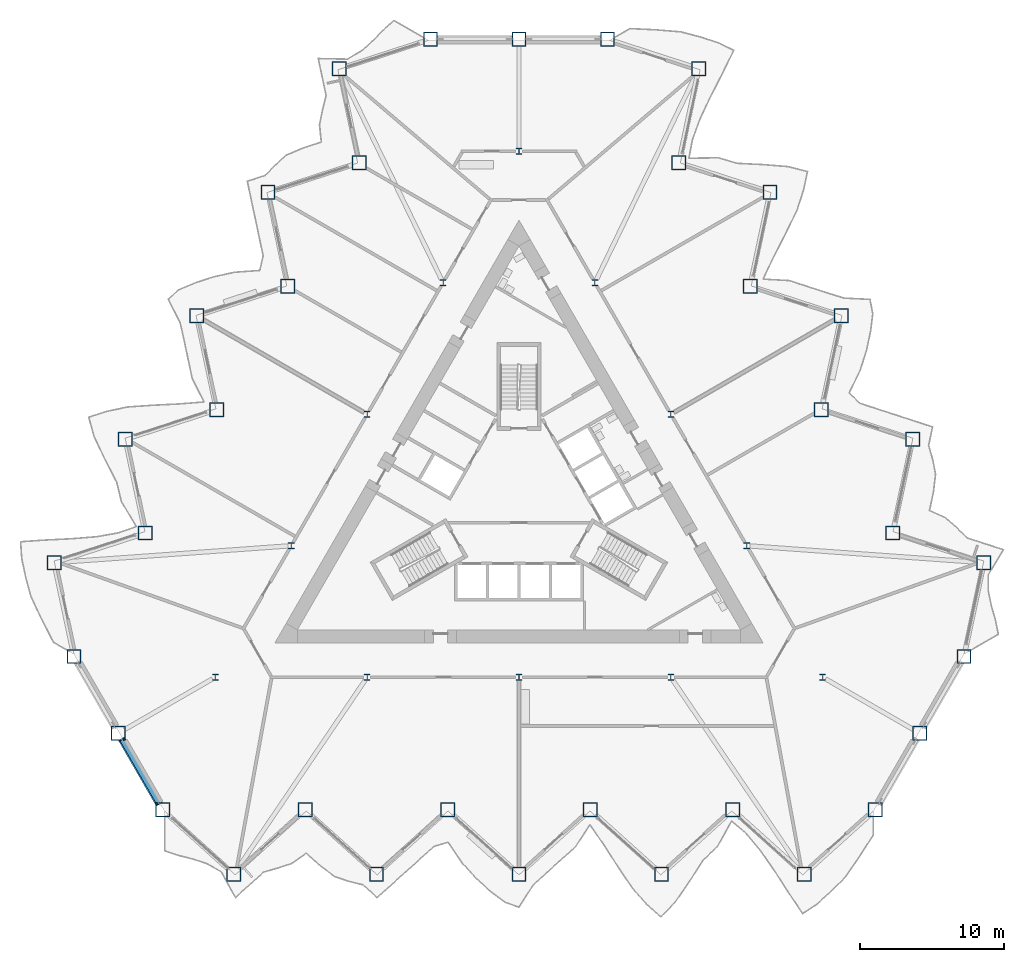
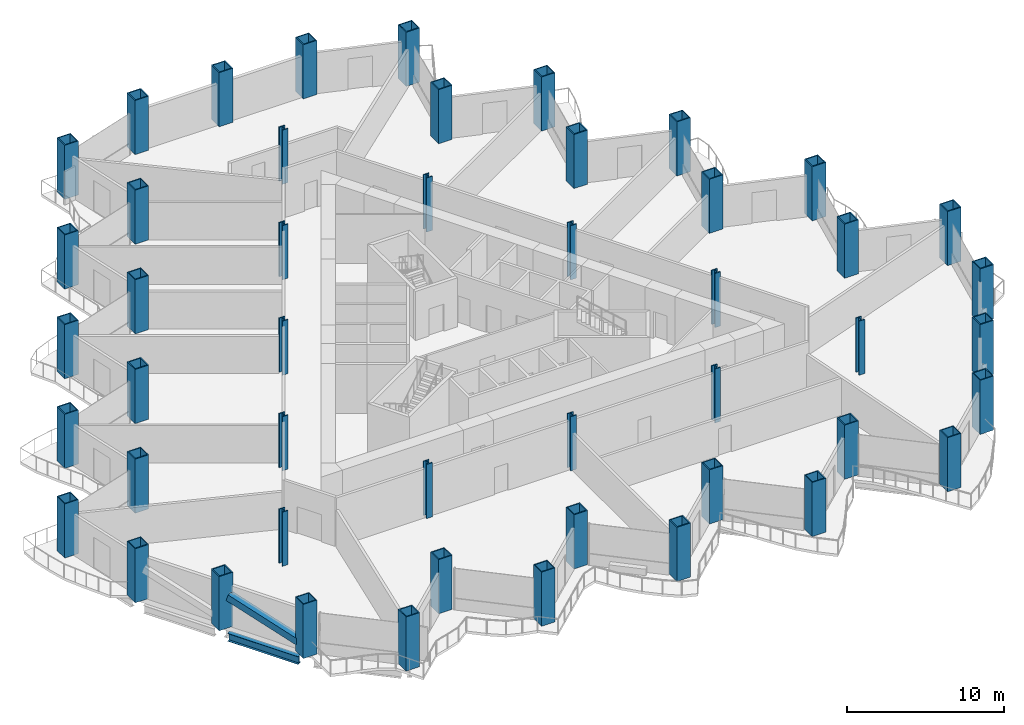
# One storey, part 1 of 21: 48 columns, 1 beam, 1 member.
"""IFC4 building model written with IfcOpenShell, lengths in metres."""

from ifc_helpers import new_model, si_unit, direction, frame, origin, origin_2d, place, context, subcontext, project, spatial, hollow_rectangle, i_section, extrude, material, material_profile, profile_set, type_object, element, save


model = new_model("IFC4")

# Units and contexts
model_context = context("Model", 3, precision=1e-05, world=origin(), true_north=direction((0.0, 1.0)))
body_context = subcontext(model_context, "Body", "Model", "MODEL_VIEW")
ifc_project = project(units=[si_unit("LENGTHUNIT", "METRE"), si_unit("AREAUNIT", "SQUARE_METRE"), si_unit("VOLUMEUNIT", "CUBIC_METRE"), si_unit("PLANEANGLEUNIT", "RADIAN"), si_unit("MASSUNIT", "GRAM", prefix="KILO")], contexts=[model_context])

# Site, building, storey
site_placement = place(None, origin())
site = spatial("IfcSite", under=ifc_project, at=site_placement, CompositionType="ELEMENT")
building_placement = place(site_placement, origin())
building = spatial("IfcBuilding", under=site, at=building_placement, Name="Cormorant Prow Tower", CompositionType="ELEMENT")
storey_placement = place(building_placement, frame((0.0, 0.0, 76.199951171875)))
storey = spatial("IfcBuildingStorey", under=building, at=storey_placement, Name="L16", CompositionType="ELEMENT", Elevation=76.199951171875)

# Columns
ifc_material_1 = material(Name="Structural steel ASTM A572 Gr 50", Category="steel")
ifc_material_profile_1 = material_profile(ifc_material_1, hollow_rectangle(XDim=1.0, YDim=1.0, WallThickness=0.070068359375, at=origin_2d()), Name="Box 1000x1000x70")
ifc_profile_set_1 = profile_set([ifc_material_profile_1], Name="Structural steel ASTM A572 Gr 50")
column_type_1 = type_object("IfcColumnType", Name="Perimeter box column 1000x1000x70", PredefinedType="COLUMN", material=ifc_profile_set_1)
for number, where, z_axis, x_axis, name in (
    (1, (-24.830322265625, -21.4599609375, 0.0), (0.0, 0.0, 1.0), (1.0, 0.0, 0.0), "Perimeter column C2 at S00 L16"),
    (2, (-19.8642578125, -25.931396484375, 0.0), (0.0, 0.0, 1.0), (1.0, 0.0, 0.0), "Perimeter column C2 at S01 L16"),
    (3, (-14.898193359375, -21.4599609375, 0.0), (0.0, 0.0, 1.0), (1.0, 0.0, 0.0), "Perimeter column C2 at S02 L16"),
    (4, (-9.93212890625, -25.931396484375, 0.0), (0.0, 0.0, 1.0), (1.0, 0.0, 0.0), "Perimeter column C2 at S03 L16"),
    (5, (-4.966064453125, -21.4599609375, 0.0), (0.0, 0.0, 1.0), (1.0, 0.0, 0.0), "Perimeter column C2 at S04 L16"),
    (6, (0.0, -25.931396484375, 0.0), (0.0, 0.0, 1.0), (1.0, 0.0, 0.0), "Perimeter column C2 at S05 L16"),
    (7, (4.966064453125, -21.4599609375, 0.0), (0.0, 0.0, 1.0), (1.0, 0.0, 0.0), "Perimeter column C2 at S06 L16"),
    (8, (9.93212890625, -25.931396484375, 0.0), (0.0, 0.0, 1.0), (1.0, 0.0, 0.0), "Perimeter column C2 at S07 L16"),
    (9, (14.898193359375, -21.4599609375, 0.0), (0.0, 0.0, 1.0), (1.0, 0.0, 0.0), "Perimeter column C2 at S08 L16"),
    (10, (19.8642578125, -25.931396484375, 0.0), (0.0, 0.0, 1.0), (1.0, 0.0, 0.0), "Perimeter column C2 at S09 L16"),
    (11, (24.830322265625, -21.4599609375, 0.0), (0.0, 0.0, 1.0), (1.0, 0.0, 0.0), "Perimeter column C2 at ESE00 L16"),
    (12, (27.915283203125, -16.116943359375, 0.0), (0.0, 0.0, 1.0), (1.0, 0.0, 0.0), "Perimeter column C2 at ESE01 L16"),
    (13, (31.0, -10.773681640625, 0.0), (0.0, 0.0, 1.0), (1.0, 0.0, 0.0), "Perimeter column C2 at ENE00 L16"),
    (14, (32.389404296875, -4.2373046875, 0.0), (0.0, 0.0, 1.0), (1.0, 0.0, 0.0), "Perimeter column C2 at ENE01 L16"),
    (15, (26.033935546875, -2.17236328125, 0.0), (0.0, 0.0, 1.0), (1.0, 0.0, 0.0), "Perimeter column C2 at ENE02 L16"),
    (16, (27.42333984375, 4.3642578125, 0.0), (0.0, 0.0, 1.0), (1.0, 0.0, 0.0), "Perimeter column C2 at ENE03 L16"),
    (17, (21.06787109375, 6.42919921875, 0.0), (0.0, 0.0, 1.0), (1.0, 0.0, 0.0), "Perimeter column C2 at ENE04 L16"),
    (18, (22.457275390625, 12.965576171875, 0.0), (0.0, 0.0, 1.0), (1.0, 0.0, 0.0), "Perimeter column C2 at ENE05 L16"),
    (19, (16.101806640625, 15.03076171875, 0.0), (0.0, 0.0, 1.0), (1.0, 0.0, 0.0), "Perimeter column C2 at ENE06 L16"),
    (20, (17.4912109375, 21.567138671875, 0.0), (0.0, 0.0, 1.0), (1.0, 0.0, 0.0), "Perimeter column C2 at ENE07 L16"),
    (21, (11.1357421875, 23.632080078125, 0.0), (0.0, 0.0, 1.0), (1.0, 0.0, 0.0), "Perimeter column C2 at ENE08 L16"),
    (22, (12.525146484375, 30.168701171875, 0.0), (0.0, 0.0, 1.0), (1.0, 0.0, 0.0), "Perimeter column C2 at ENE09 L16"),
    (23, (6.169677734375, 32.233642578125, 0.0), (0.0, 0.0, 1.0), (1.0, 0.0, 0.0), "Perimeter column C2 at N00 L16"),
    (24, (0.0, 32.233642578125, 0.0), (0.0, 0.0, 1.0), (1.0, 0.0, 0.0), "Perimeter column C2 at N01 L16"),
    (25, (-6.169677734375, 32.233642578125, 0.0), (0.0, 0.0, 1.0), (1.0, 0.0, 0.0), "Perimeter column C2 at WNW00 L16"),
    (26, (-12.525146484375, 30.168701171875, 0.0), (0.0, 0.0, 1.0), (1.0, 0.0, 0.0), "Perimeter column C2 at WNW01 L16"),
    (27, (-11.1357421875, 23.632080078125, 0.0), (0.0, 0.0, 1.0), (1.0, 0.0, 0.0), "Perimeter column C2 at WNW02 L16"),
    (28, (-17.4912109375, 21.567138671875, 0.0), (0.0, 0.0, 1.0), (1.0, 0.0, 0.0), "Perimeter column C2 at WNW03 L16"),
    (29, (-16.101806640625, 15.03076171875, 0.0), (0.0, 0.0, 1.0), (1.0, 0.0, 0.0), "Perimeter column C2 at WNW04 L16"),
    (30, (-22.457275390625, 12.965576171875, 0.0), (0.0, 0.0, 1.0), (1.0, 0.0, 0.0), "Perimeter column C2 at WNW05 L16"),
    (31, (-21.06787109375, 6.42919921875, 0.0), (0.0, 0.0, 1.0), (1.0, 0.0, 0.0), "Perimeter column C2 at WNW06 L16"),
    (32, (-27.42333984375, 4.3642578125, 0.0), (0.0, 0.0, 1.0), (1.0, 0.0, 0.0), "Perimeter column C2 at WNW07 L16"),
    (33, (-26.033935546875, -2.17236328125, 0.0), (0.0, 0.0, 1.0), (1.0, 0.0, 0.0), "Perimeter column C2 at WNW08 L16"),
    (34, (-32.389404296875, -4.2373046875, 0.0), (0.0, 0.0, 1.0), (1.0, 0.0, 0.0), "Perimeter column C2 at WNW09 L16"),
    (35, (-31.0, -10.773681640625, 0.0), (0.0, 0.0, 1.0), (1.0, 0.0, 0.0), "Perimeter column C2 at WSW00 L16"),
    (36, (-27.915283203125, -16.116943359375, 0.0), (0.0, 0.0, 1.0), (1.0, 0.0, 0.0), "Perimeter column C2 at WSW01 L16"),
):
    element("IfcColumn", number, at=place(storey_placement, frame(where, z_axis=z_axis, x_axis=x_axis)), inside=storey, type_object=column_type_1, Name=name, PredefinedType="COLUMN", context=body_context, shape_type="SweptSolid", body=[
        extrude(hollow_rectangle(XDim=1.0, YDim=1.0, WallThickness=0.070068359375, at=origin_2d()), origin(), (0.0, 0.0, 1.0), 4.199951171875),
    ])
ifc_material_2 = material(Name="Structural steel ASTM A992 Gr 50", Category="steel")
ifc_material_profile_2 = material_profile(ifc_material_2, i_section(OverallWidth=0.42138671875, OverallDepth=0.464599609375, WebThickness=0.044921875, FlangeThickness=0.072265625, at=origin_2d()), Name="W14x398")
ifc_profile_set_2 = profile_set([ifc_material_profile_2], Name="Structural steel ASTM A992 Gr 50")
column_type_2 = type_object("IfcColumnType", Name="Ring column W14x398", PredefinedType="COLUMN", material=ifc_profile_set_2)
for number, where, z_axis, x_axis, name in (
    (37, (0.0, 24.429931640625, 0.0), (0.0, 0.0, 1.0), (1.0, 0.0, 0.0), "Ring column 1 L16"),
    (38, (-5.289306640625, 15.268798828125, 0.0), (0.0, 0.0, 1.0), (1.0, 0.0, 0.0), "Ring column 2 L16"),
    (39, (-10.578369140625, 6.107421875, 0.0), (0.0, 0.0, 1.0), (1.0, 0.0, 0.0), "Ring column 3 L16"),
    (40, (-15.86767578125, -3.0537109375, 0.0), (0.0, 0.0, 1.0), (1.0, 0.0, 0.0), "Ring column 4 L16"),
    (41, (-21.156982421875, -12.21484375, 0.0), (0.0, 0.0, 1.0), (1.0, 0.0, 0.0), "Ring column 5 L16"),
    (42, (-10.578369140625, -12.21484375, 0.0), (0.0, 0.0, 1.0), (1.0, 0.0, 0.0), "Ring column 6 L16"),
    (43, (0.0, -12.21484375, 0.0), (0.0, 0.0, 1.0), (1.0, 0.0, 0.0), "Ring column 7 L16"),
    (44, (10.578369140625, -12.21484375, 0.0), (0.0, 0.0, 1.0), (1.0, 0.0, 0.0), "Ring column 8 L16"),
    (45, (21.156982421875, -12.21484375, 0.0), (0.0, 0.0, 1.0), (1.0, 0.0, 0.0), "Ring column 9 L16"),
    (46, (15.86767578125, -3.0537109375, 0.0), (0.0, 0.0, 1.0), (1.0, 0.0, 0.0), "Ring column 10 L16"),
    (47, (10.578369140625, 6.107421875, 0.0), (0.0, 0.0, 1.0), (1.0, 0.0, 0.0), "Ring column 11 L16"),
    (48, (5.289306640625, 15.268798828125, 0.0), (0.0, 0.0, 1.0), (1.0, 0.0, 0.0), "Ring column 12 L16"),
):
    element("IfcColumn", number, at=place(storey_placement, frame(where, z_axis=z_axis, x_axis=x_axis)), inside=storey, type_object=column_type_2, Name=name, PredefinedType="COLUMN", context=body_context, shape_type="SweptSolid", body=[
        extrude(i_section(OverallWidth=0.42138671875, OverallDepth=0.464599609375, WebThickness=0.044921875, FlangeThickness=0.072265625, at=origin_2d()), origin(), (0.0, 0.0, 1.0), 4.199951171875),
    ])

# Member
ifc_material_3 = material(Name="Structural steel ASTM A500 Gr C", Category="steel")
ifc_material_profile_3 = material_profile(ifc_material_3, hollow_rectangle(XDim=0.508056640625, YDim=0.508056640625, WallThickness=0.014892578125, at=origin_2d()), Name="HSS20x20x5/8")
ifc_profile_set_3 = profile_set([ifc_material_profile_3], Name="Structural steel ASTM A500 Gr C")
member_type = type_object("IfcMemberType", Name="Chamfer brace HSS20x20x5/8", PredefinedType="BRACE", material=ifc_profile_set_3)
member_placement = place(storey_placement, frame((-25.089599609375, -21.0107421875, 0.767333984375), z_axis=(-0.475899695849, 0.824255918841, 0.306792535351), x_axis=(-0.866018434186, -0.500012071504, 0.0)))
element("IfcMember", 49, at=member_placement, inside=storey, type_object=member_type, Name="Chamfer brace BR1 at WSW01 L16", PredefinedType="BRACE", context=body_context, shape_type="SweptSolid", body=[
    extrude(hollow_rectangle(XDim=0.508056640625, YDim=0.508056640625, WallThickness=0.014892578125, at=origin_2d()), origin(), (0.0, 0.0, 1.0), 5.392333984375),
])

# Beam
ifc_material_4 = material(Name="Structural steel ASTM A992 Gr 50", Category="steel")
ifc_material_profile_4 = material_profile(ifc_material_4, i_section(OverallWidth=0.32373046875, OverallDepth=0.611083984375, WebThickness=0.0126953125, FlangeThickness=0.01904296875, at=origin_2d()), Name="W24x104")
ifc_profile_set_4 = profile_set([ifc_material_profile_4], Name="Structural steel ASTM A992 Gr 50")
beam_type = type_object("IfcBeamType", Name="Spandrel beam W24x104", PredefinedType="SPANDREL", material=ifc_profile_set_4)
beam_placement = place(storey_placement, frame((-27.665283203125, -16.5498046875, -0.70556640625), z_axis=(0.500019507279, -0.866014140959, 0.0), x_axis=(0.866014140959, 0.500019507279, 0.0)))
element("IfcBeam", 50, at=beam_placement, inside=storey, type_object=beam_type, Name="Spandrel beam SB1 WSW01-S00 L16", PredefinedType="SPANDREL", context=body_context, shape_type="SweptSolid", body=[
    extrude(i_section(OverallWidth=0.32373046875, OverallDepth=0.611083984375, WebThickness=0.0126953125, FlangeThickness=0.01904296875, at=origin_2d()), origin(), (0.0, 0.0, 1.0), 5.169677734375),
])

save(model, "model.ifc")
